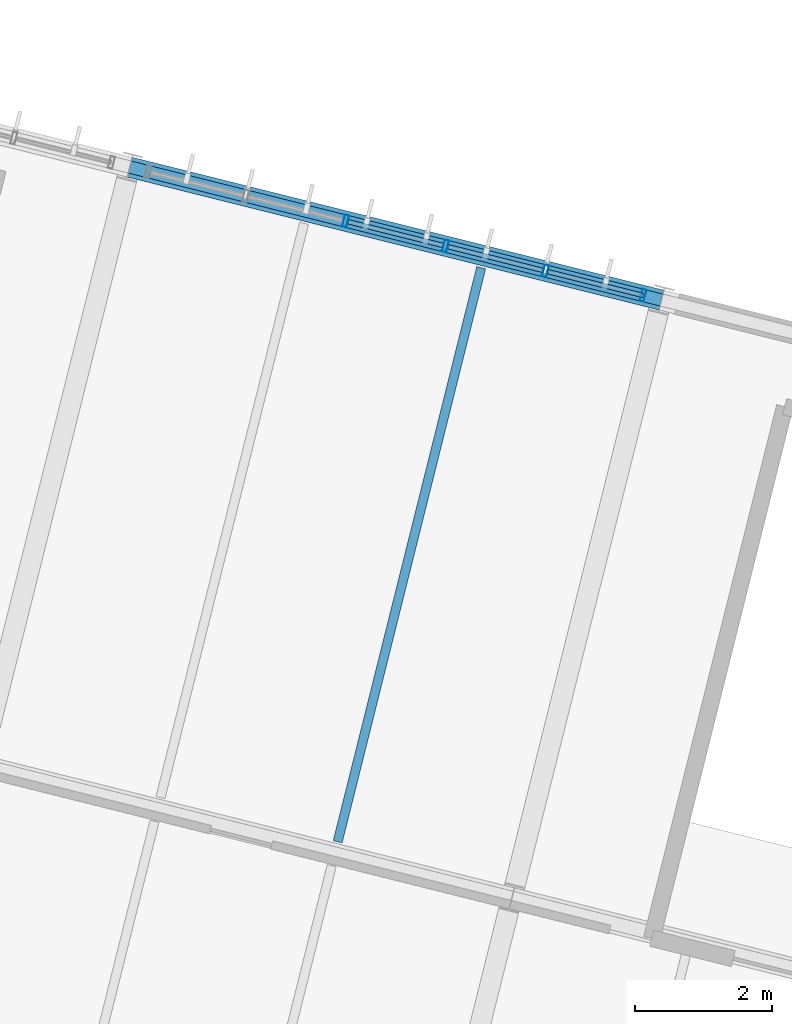
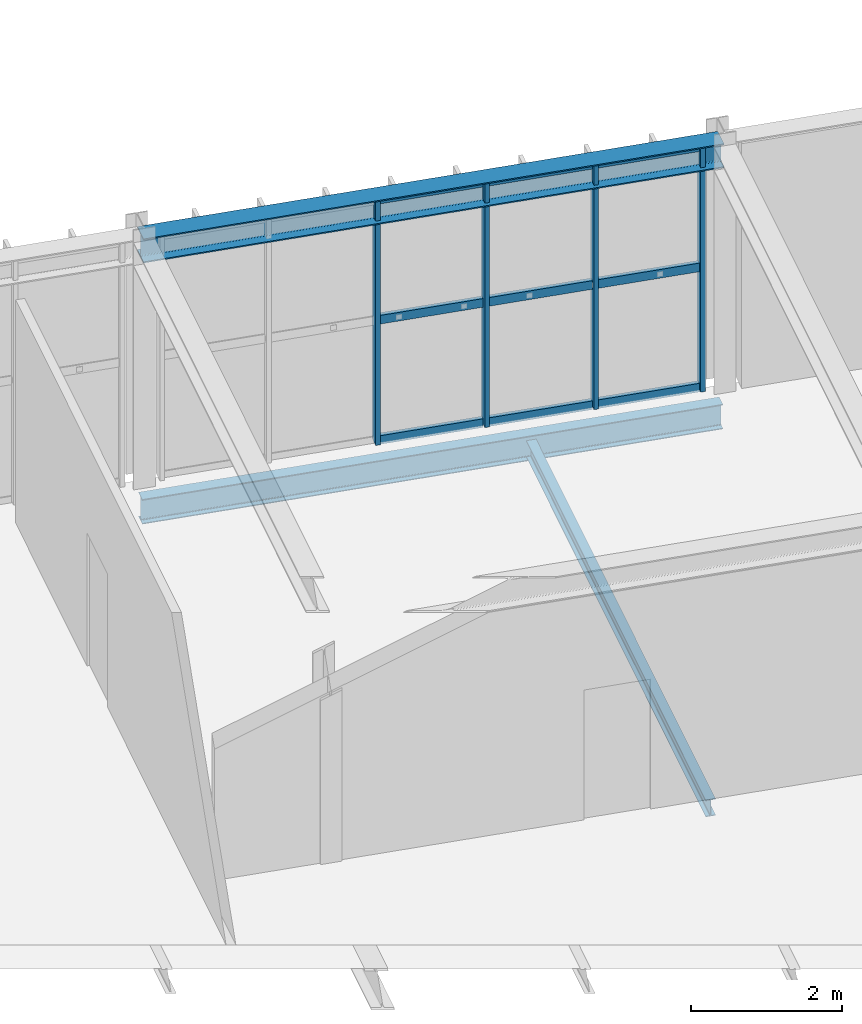
# One storey, part 15 of 30: 13 members, 3 beams, 1 element without a shape of its own.
"""IFC4 building model written with IfcOpenShell, lengths in metres."""

from ifc_helpers import new_model, si_unit, derived_unit, direction, frame, origin, origin_2d, place, context, subcontext, project, spatial, hollow_rectangle, i_section, extrude, material, material_profile, profile_set, type_object, element, aggregate, save


model = new_model("IFC4")

# Units and contexts
model_context = context("Model", 3, precision=1e-05, world=origin(), true_north=direction((0.0, 1.0)))
body_context = subcontext(model_context, "Body", "Model", "MODEL_VIEW")
ifc_project = project(units=[si_unit("LENGTHUNIT", "METRE"), si_unit("AREAUNIT", "SQUARE_METRE"), si_unit("VOLUMEUNIT", "CUBIC_METRE"), si_unit("PLANEANGLEUNIT", "RADIAN"), si_unit("MASSUNIT", "GRAM", prefix="KILO"), si_unit("THERMODYNAMICTEMPERATUREUNIT", "KELVIN"), si_unit("TIMEUNIT", "SECOND"), derived_unit("THERMALTRANSMITTANCEUNIT", [(si_unit("MASSUNIT", "GRAM", prefix="KILO"), 1), (si_unit("THERMODYNAMICTEMPERATUREUNIT", "KELVIN"), -1), (si_unit("TIMEUNIT", "SECOND"), -3)])], contexts=[model_context])

# Site, building, storey
site_placement = place(None, origin())
site = spatial("IfcSite", under=ifc_project, at=site_placement, CompositionType="ELEMENT")
building_placement = place(site_placement, origin())
building = spatial("IfcBuilding", under=site, at=building_placement, Name="Cambertide Market Hall", CompositionType="ELEMENT")
storey_placement = place(building_placement, frame((0.0, 0.0, 14.10009765625)))
storey = spatial("IfcBuildingStorey", under=building, at=storey_placement, Name="L04", CompositionType="ELEMENT", Elevation=14.10009765625)

# Curtain wall, members
ifc_material_1 = material(Name="Marine Anodized Aluminium 6063-T6 AA25", Category="aluminium")
curtain_wall_type = type_object("IfcCurtainWallType", Name="Herb Conservatory Crown Curtain Wall", PredefinedType="USERDEFINED", material=ifc_material_1)
curtain_wall_placement = place(storey_placement, origin())
curtain_wall = element("IfcCurtainWall", 1, at=curtain_wall_placement, inside=storey, type_object=curtain_wall_type, Name="Level 4 Curtain Wall CW-V4N-L04-7", ObjectType="UNITIZED CURTAIN WALL", PredefinedType="USERDEFINED")
ifc_material_2 = material(Name="Champagne Marine Anodized Aluminium 6063-T6 AA25", Category="aluminium")
ifc_material_profile_1 = material_profile(ifc_material_2, hollow_rectangle(XDim=0.06494140625, YDim=0.179931640625, WallThickness=0.00390625, at=origin_2d()), Name="ALU MULLION 65x180")
ifc_profile_set_1 = profile_set([ifc_material_profile_1], Name="Champagne Marine Anodized Aluminium 6063-T6 AA25")
member_type_1 = type_object("IfcMemberType", Name="Curtain Wall Mullion ALU MULLION 65x180", PredefinedType="MULLION", material=ifc_profile_set_1)
member_1_placement = place(storey_placement, frame((164.266357421875, 113.764404296875, 0.0), z_axis=(0.0, 0.0, 1.0), x_axis=(0.970142500145, -0.242535625038, 0.0)))
member_1 = element("IfcMember", 2, at=member_1_placement, type_object=member_type_1, Name="CW-V4N-L04-7 Mullion 3", PredefinedType="MULLION", context=body_context, shape_type="SweptSolid", body=[
    extrude(hollow_rectangle(XDim=0.06494140625, YDim=0.179931640625, WallThickness=0.00390625, at=origin_2d()), origin(), (0.0, 0.0, 1.0), 3.9599609375),
])
member_2_placement = place(storey_placement, frame((165.725341796875, 113.399658203125, 0.0), z_axis=(0.0, 0.0, 1.0), x_axis=(0.970142500145, -0.242535625038, 0.0)))
member_2 = element("IfcMember", 3, at=member_2_placement, type_object=member_type_1, Name="CW-V4N-L04-7 Mullion 4", PredefinedType="MULLION", context=body_context, shape_type="SweptSolid", body=[
    extrude(hollow_rectangle(XDim=0.06494140625, YDim=0.179931640625, WallThickness=0.00390625, at=origin_2d()), origin(), (0.0, 0.0, 1.0), 3.9599609375),
])
member_3_placement = place(storey_placement, frame((167.1845703125, 113.034912109375, 0.0), z_axis=(0.0, 0.0, 1.0), x_axis=(0.970142500145, -0.242535625038, 0.0)))
member_3 = element("IfcMember", 4, at=member_3_placement, type_object=member_type_1, Name="CW-V4N-L04-7 Mullion 5", PredefinedType="MULLION", context=body_context, shape_type="SweptSolid", body=[
    extrude(hollow_rectangle(XDim=0.06494140625, YDim=0.179931640625, WallThickness=0.00390625, at=origin_2d()), origin(), (0.0, 0.0, 1.0), 3.9599609375),
])
member_4_placement = place(storey_placement, frame((168.609619140625, 112.678466796875, 0.0), z_axis=(0.0, 0.0, 1.0), x_axis=(0.970142500145, -0.242535625038, 0.0)))
member_4 = element("IfcMember", 5, at=member_4_placement, type_object=member_type_1, Name="CW-V4N-L04-7 Mullion 6", PredefinedType="MULLION", context=body_context, shape_type="SweptSolid", body=[
    extrude(hollow_rectangle(XDim=0.06494140625, YDim=0.179931640625, WallThickness=0.00390625, at=origin_2d()), origin(), (0.0, 0.0, 1.0), 3.9599609375),
])
ifc_material_3 = material(Name="Champagne Marine Anodized Aluminium 6063-T6 AA25", Category="aluminium")
ifc_material_profile_2 = material_profile(ifc_material_3, hollow_rectangle(XDim=0.06494140625, YDim=0.139892578125, WallThickness=0.00341796875, at=origin_2d()), Name="ALU TRANSOM 65x140")
ifc_profile_set_2 = profile_set([ifc_material_profile_2], Name="Champagne Marine Anodized Aluminium 6063-T6 AA25")
member_type_2 = type_object("IfcMemberType", Name="Curtain Wall Transom ALU TRANSOM 65x140", PredefinedType="USERDEFINED", material=ifc_profile_set_2)
member_5_placement = place(storey_placement, frame((164.30517578125, 113.754638671875, 0.034912109375), z_axis=(0.970162669427, -0.242454933646, 0.0), x_axis=(0.242454933646, 0.970162669427, 0.0)))
member_5 = element("IfcMember", 6, at=member_5_placement, type_object=member_type_2, Name="CW-V4N-L04-7 Transom 1-3", ObjectType="TRANSOM", PredefinedType="USERDEFINED", context=body_context, shape_type="SweptSolid", body=[
    extrude(hollow_rectangle(XDim=0.06494140625, YDim=0.139892578125, WallThickness=0.00341796875, at=origin_2d()), origin(), (0.0, 0.0, 1.0), 1.423828125),
])
member_6_placement = place(storey_placement, frame((165.76416015625, 113.389892578125, 0.034912109375), z_axis=(0.970132415085, -0.242575961715, 0.0), x_axis=(0.242575961715, 0.970132415085, 0.0)))
member_6 = element("IfcMember", 7, at=member_6_placement, type_object=member_type_2, Name="CW-V4N-L04-7 Transom 1-4", ObjectType="TRANSOM", PredefinedType="USERDEFINED", context=body_context, shape_type="SweptSolid", body=[
    extrude(hollow_rectangle(XDim=0.06494140625, YDim=0.139892578125, WallThickness=0.00341796875, at=origin_2d()), origin(), (0.0, 0.0, 1.0), 1.424072265625),
])
member_7_placement = place(storey_placement, frame((167.223388671875, 113.025146484375, 0.034912109375), z_axis=(0.970122324991, -0.242616311393, 0.0), x_axis=(0.242616311393, 0.970122324991, 0.0)))
member_7 = element("IfcMember", 8, at=member_7_placement, type_object=member_type_2, Name="CW-V4N-L04-7 Transom 1-5", ObjectType="TRANSOM", PredefinedType="USERDEFINED", context=body_context, shape_type="SweptSolid", body=[
    extrude(hollow_rectangle(XDim=0.06494140625, YDim=0.139892578125, WallThickness=0.00341796875, at=origin_2d()), origin(), (0.0, 0.0, 1.0), 1.423828125),
])
member_8_placement = place(storey_placement, frame((164.30517578125, 113.754638671875, 1.97998046875), z_axis=(0.970162669427, -0.242454933646, 0.0), x_axis=(0.242454933646, 0.970162669427, 0.0)))
member_8 = element("IfcMember", 9, at=member_8_placement, type_object=member_type_2, Name="CW-V4N-L04-7 Transom 2-3", ObjectType="TRANSOM", PredefinedType="USERDEFINED", context=body_context, shape_type="SweptSolid", body=[
    extrude(hollow_rectangle(XDim=0.06494140625, YDim=0.139892578125, WallThickness=0.00341796875, at=origin_2d()), origin(), (0.0, 0.0, 1.0), 1.423828125),
])
member_9_placement = place(storey_placement, frame((165.76416015625, 113.389892578125, 1.97998046875), z_axis=(0.970132415085, -0.242575961715, 0.0), x_axis=(0.242575961715, 0.970132415085, 0.0)))
member_9 = element("IfcMember", 10, at=member_9_placement, type_object=member_type_2, Name="CW-V4N-L04-7 Transom 2-4", ObjectType="TRANSOM", PredefinedType="USERDEFINED", context=body_context, shape_type="SweptSolid", body=[
    extrude(hollow_rectangle(XDim=0.06494140625, YDim=0.139892578125, WallThickness=0.00341796875, at=origin_2d()), origin(), (0.0, 0.0, 1.0), 1.424072265625),
])
member_10_placement = place(storey_placement, frame((167.223388671875, 113.025146484375, 1.97998046875), z_axis=(0.970122324991, -0.242616311393, 0.0), x_axis=(0.242616311393, 0.970122324991, 0.0)))
member_10 = element("IfcMember", 11, at=member_10_placement, type_object=member_type_2, Name="CW-V4N-L04-7 Transom 2-5", ObjectType="TRANSOM", PredefinedType="USERDEFINED", context=body_context, shape_type="SweptSolid", body=[
    extrude(hollow_rectangle(XDim=0.06494140625, YDim=0.139892578125, WallThickness=0.00341796875, at=origin_2d()), origin(), (0.0, 0.0, 1.0), 1.423828125),
])
member_11_placement = place(storey_placement, frame((164.30517578125, 113.754638671875, 3.9248046875), z_axis=(0.970162669427, -0.242454933646, 0.0), x_axis=(0.242454933646, 0.970162669427, 0.0)))
member_11 = element("IfcMember", 12, at=member_11_placement, type_object=member_type_2, Name="CW-V4N-L04-7 Transom 3-3", ObjectType="TRANSOM", PredefinedType="USERDEFINED", context=body_context, shape_type="SweptSolid", body=[
    extrude(hollow_rectangle(XDim=0.06494140625, YDim=0.139892578125, WallThickness=0.00341796875, at=origin_2d()), origin(), (0.0, 0.0, 1.0), 1.423828125),
])
member_12_placement = place(storey_placement, frame((165.76416015625, 113.389892578125, 3.9248046875), z_axis=(0.970132415085, -0.242575961715, 0.0), x_axis=(0.242575961715, 0.970132415085, 0.0)))
member_12 = element("IfcMember", 13, at=member_12_placement, type_object=member_type_2, Name="CW-V4N-L04-7 Transom 3-4", ObjectType="TRANSOM", PredefinedType="USERDEFINED", context=body_context, shape_type="SweptSolid", body=[
    extrude(hollow_rectangle(XDim=0.06494140625, YDim=0.139892578125, WallThickness=0.00341796875, at=origin_2d()), origin(), (0.0, 0.0, 1.0), 1.424072265625),
])
member_13_placement = place(storey_placement, frame((167.223388671875, 113.025146484375, 3.9248046875), z_axis=(0.970122324991, -0.242616311393, 0.0), x_axis=(0.242616311393, 0.970122324991, 0.0)))
member_13 = element("IfcMember", 14, at=member_13_placement, type_object=member_type_2, Name="CW-V4N-L04-7 Transom 3-5", ObjectType="TRANSOM", PredefinedType="USERDEFINED", context=body_context, shape_type="SweptSolid", body=[
    extrude(hollow_rectangle(XDim=0.06494140625, YDim=0.139892578125, WallThickness=0.00341796875, at=origin_2d()), origin(), (0.0, 0.0, 1.0), 1.423828125),
])
aggregate(curtain_wall, [member_1, member_2, member_3, member_4, member_5, member_6, member_7, member_8, member_9, member_10, member_11, member_12, member_13])

# Beams
ifc_material_4 = material(Name="Steel S355", Category="steel")
ifc_material_profile_3 = material_profile(ifc_material_4, i_section(OverallWidth=0.300048828125, OverallDepth=0.389892578125, WebThickness=0.010986328125, FlangeThickness=0.01904296875, FilletRadius=0.027099609375, at=origin_2d()), Name="HEA 400")
ifc_profile_set_3 = profile_set([ifc_material_profile_3], Name="Steel S355")
beam_type_1 = type_object("IfcBeamType", Name="Exterior Steel Girder HEA 400", PredefinedType="BEAM", material=ifc_profile_set_3)
beam_1_placement = place(storey_placement, frame((161.115234375, 114.55224609375, 3.804931640625), z_axis=(0.970138909791, -0.242549986002, 0.0), x_axis=(0.242549986002, 0.970138909791, 0.0)))
element("IfcBeam", 15, at=beam_1_placement, inside=storey, type_object=beam_type_1, Name="Level 4 Beam BM-V4U-RF-7-4", PredefinedType="BEAM", context=body_context, shape_type="SweptSolid", body=[
    extrude(i_section(OverallWidth=0.300048828125, OverallDepth=0.389892578125, WebThickness=0.010986328125, FlangeThickness=0.01904296875, FilletRadius=0.027099609375, at=origin_2d()), origin(), (0.0, 0.0, 1.0), 8.000244140625),
])
ifc_material_5 = material(Name="Steel S355", Category="steel")
ifc_material_profile_4 = material_profile(ifc_material_5, i_section(OverallWidth=0.179931640625, OverallDepth=0.39990234375, WebThickness=0.008544921875, FlangeThickness=0.013427734375, FilletRadius=0.02099609375, at=origin_2d()), Name="IPE 400")
ifc_profile_set_4 = profile_set([ifc_material_profile_4], Name="Steel S355")
beam_type_2 = type_object("IfcBeamType", Name="Perimeter Spandrel Beam IPE 400", PredefinedType="SPANDREL", material=ifc_profile_set_4)
beam_2_placement = place(storey_placement, frame((161.115234375, 114.55224609375, -0.455078125), z_axis=(0.970138909791, -0.242549986002, 0.0), x_axis=(0.242549986002, 0.970138909791, 0.0)))
element("IfcBeam", 16, at=beam_2_placement, inside=storey, type_object=beam_type_2, Name="Level 4 Spandrel BM-V4U-L04-7-4", PredefinedType="SPANDREL", context=body_context, shape_type="SweptSolid", body=[
    extrude(i_section(OverallWidth=0.179931640625, OverallDepth=0.39990234375, WebThickness=0.008544921875, FlangeThickness=0.013427734375, FilletRadius=0.02099609375, at=origin_2d()), origin(), (0.0, 0.0, 1.0), 8.000244140625),
])
ifc_material_6 = material(Name="Steel S275", Category="steel")
ifc_material_profile_5 = material_profile(ifc_material_6, i_section(OverallWidth=0.135009765625, OverallDepth=0.27001953125, WebThickness=0.006591796875, FlangeThickness=0.01025390625, FilletRadius=0.014892578125, at=origin_2d()), Name="IPE 270")
ifc_profile_set_5 = profile_set([ifc_material_profile_5], Name="Steel S275")
beam_type_3 = type_object("IfcBeamType", Name="Steel Secondary Joist IPE 270", PredefinedType="JOIST", material=ifc_profile_set_5)
beam_3_placement = place(storey_placement, frame((164.150146484375, 104.701904296875, -0.39013671875), z_axis=(0.242555570896, 0.970137513463, 0.0), x_axis=(-0.970137513463, 0.242555570896, 0.0)))
element("IfcBeam", 17, at=beam_3_placement, inside=storey, type_object=beam_type_3, Name="Level 4 Joist JS-V4-L04-7-3-2", PredefinedType="JOIST", context=body_context, shape_type="SweptSolid", body=[
    extrude(i_section(OverallWidth=0.135009765625, OverallDepth=0.27001953125, WebThickness=0.006591796875, FlangeThickness=0.01025390625, FilletRadius=0.014892578125, at=origin_2d()), origin(), (0.0, 0.0, 1.0), 8.64013671875),
])

save(model, "model.ifc")
